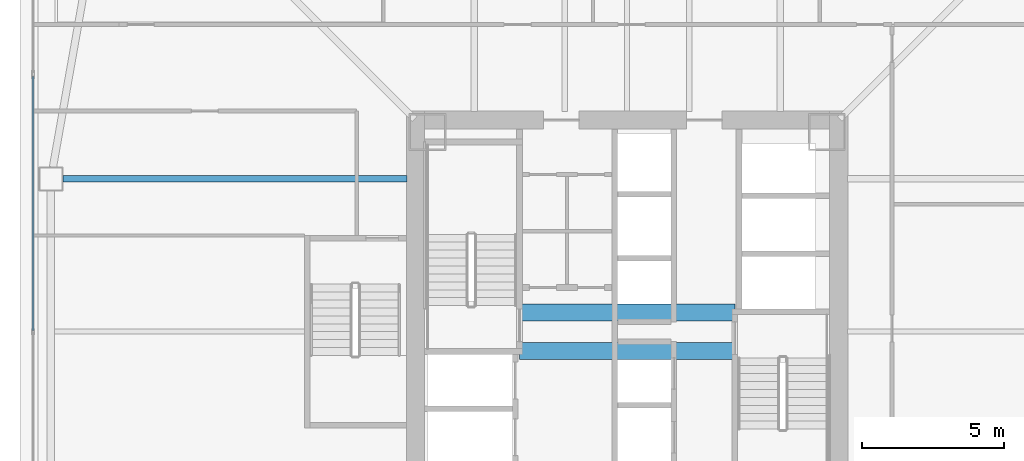
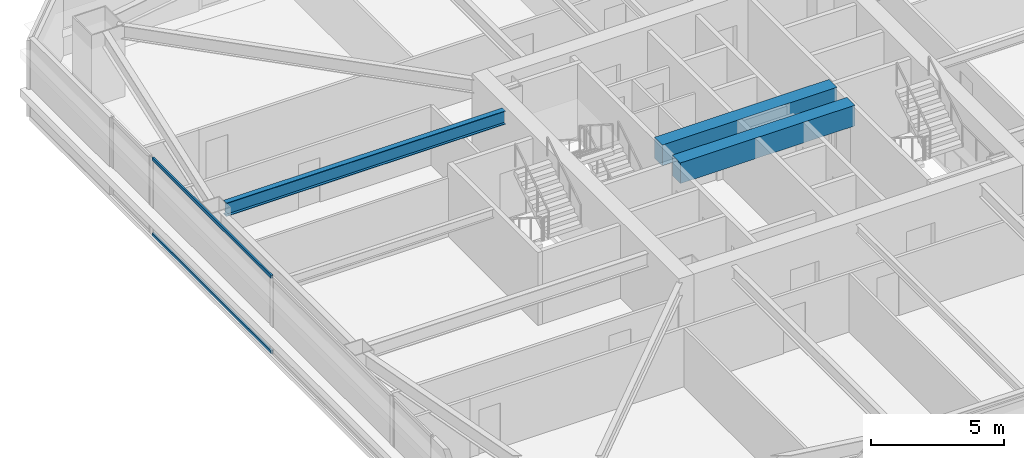
# One storey, part 7 of 44: 3 beams, 2 members, 1 element without a shape of its own.
"""IFC4 building model written with IfcOpenShell, lengths in metres."""

from ifc_helpers import new_model, si_unit, direction, frame, origin, origin_2d, place, context, subcontext, project, spatial, rectangle, hollow_rectangle, i_section, extrude, material, material_profile, profile_set, type_object, element, aggregate, save


model = new_model("IFC4")

# Units and contexts
model_context = context("Model", 3, precision=1e-05, world=origin(), true_north=direction((0.0, 1.0)))
body_context = subcontext(model_context, "Body", "Model", "MODEL_VIEW")
ifc_project = project(units=[si_unit("LENGTHUNIT", "METRE"), si_unit("AREAUNIT", "SQUARE_METRE"), si_unit("VOLUMEUNIT", "CUBIC_METRE"), si_unit("PLANEANGLEUNIT", "RADIAN"), si_unit("MASSUNIT", "GRAM", prefix="KILO")], contexts=[model_context])

# Site, building, storey
site_placement = place(None, origin())
site = spatial("IfcSite", under=ifc_project, at=site_placement, CompositionType="ELEMENT")
building_placement = place(site_placement, origin())
building = spatial("IfcBuilding", under=site, at=building_placement, Name="Tashvorn Skyway Center", CompositionType="ELEMENT")
storey_placement = place(building_placement, frame((0.0, 0.0, 74.300048828125)))
storey = spatial("IfcBuildingStorey", under=building, at=storey_placement, Name="L19", CompositionType="ELEMENT", Elevation=74.300048828125)

# Beams
ifc_material_1 = material(Name="Steel ASTM A992 Grade 50", Category="steel")
ifc_material_profile_1 = material_profile(ifc_material_1, i_section(OverallWidth=0.22998046875, OverallDepth=0.616943359375, WebThickness=0.01318359375, FlangeThickness=0.022216796875, at=origin_2d()), Name="W24X94")
ifc_profile_set_1 = profile_set([ifc_material_profile_1], Name="Steel ASTM A992 Grade 50")
beam_type_1 = type_object("IfcBeamType", Name="BM-BEAM-W24X94", PredefinedType="BEAM", material=ifc_profile_set_1)
beam_placement = place(storey_placement, frame((22.070068359375, 37.39990234375, 3.04150390625), z_axis=(1.0, 0.0, 0.0), x_axis=(0.0, 1.0, 0.0)))
element("IfcBeam", 1, at=beam_placement, inside=storey, type_object=beam_type_1, Name="Tower 1 L19 Primary Floor Girder FC-W1", PredefinedType="BEAM", context=body_context, shape_type="SweptSolid", body=[
    extrude(i_section(OverallWidth=0.22998046875, OverallDepth=0.616943359375, WebThickness=0.01318359375, FlangeThickness=0.022216796875, at=origin_2d()), origin(), (0.0, 0.0, 1.0), 12.14990234375),
])
ifc_material_2 = material(Name="Concrete C60/75", Category="concrete")
ifc_material_profile_2 = material_profile(ifc_material_2, rectangle(XDim=0.60009765625, YDim=0.949951171875, at=origin_2d()), Name="RCB600x950")
ifc_profile_set_2 = profile_set([ifc_material_profile_2], Name="Concrete C60/75")
beam_type_2 = type_object("IfcBeamType", Name="BM-LINTEL-RCB600x950", PredefinedType="LINTEL", material=ifc_profile_set_2)
for number, where, z_axis, x_axis, name in (
    (2, (38.199951171875, 32.679931640625, 2.875), (1.0, 0.0, 0.0), (0.0, 1.0, 0.0), "Tower 1 L19 Core Coupling Beam CN"),
    (3, (38.199951171875, 31.320068359375, 2.875), (1.0, 0.0, 0.0), (0.0, 1.0, 0.0), "Tower 1 L19 Core Coupling Beam CS"),
):
    element("IfcBeam", number, at=place(storey_placement, frame(where, z_axis=z_axis, x_axis=x_axis)), inside=storey, type_object=beam_type_2, Name=name, PredefinedType="LINTEL", context=body_context, shape_type="SweptSolid", body=[
        extrude(rectangle(XDim=0.60009765625, YDim=0.949951171875, at=origin_2d()), origin(), (0.0, 0.0, 1.0), 7.60009765625),
    ])

# Curtain wall, members
ifc_material_3 = material(Name="Thermally broken bronze-anodized aluminium 6063-T6", Category="aluminium")
curtain_wall_type = type_object("IfcCurtainWallType", Name="CW-CW-Z2", PredefinedType="NOTDEFINED", material=ifc_material_3)
curtain_wall_placement = place(storey_placement, origin())
curtain_wall = element("IfcCurtainWall", 4, at=curtain_wall_placement, inside=storey, type_object=curtain_wall_type, Name="Tower 1 L19 West Unitised Curtain Wall Glazing Group 2", PredefinedType="NOTDEFINED")
ifc_material_profile_3 = material_profile(ifc_material_3, hollow_rectangle(XDim=0.080078125, YDim=0.14990234375, WallThickness=0.00439453125, at=origin_2d()), Name="ALU-TRAN-80x150")
ifc_profile_set_3 = profile_set([ifc_material_profile_3], Name="Thermally broken bronze-anodized aluminium 6063-T6")
member_type = type_object("IfcMemberType", Name="CWT-CW-Z2", PredefinedType="USERDEFINED", material=ifc_profile_set_3)
member_1_placement = place(storey_placement, frame((21.02001953125, 32.0400390625, 0.0400390625), z_axis=(0.0, 1.0, 0.0), x_axis=(-1.0, 0.0, 0.0)))
member_1 = element("IfcMember", 5, at=member_1_placement, type_object=member_type, Name="CW-Z2 transom 2.1", ObjectType="TRANSOM", PredefinedType="USERDEFINED", context=body_context, shape_type="SweptSolid", body=[
    extrude(hollow_rectangle(XDim=0.080078125, YDim=0.14990234375, WallThickness=0.00439453125, at=origin_2d()), origin(), (0.0, 0.0, 1.0), 8.969970703125),
])
member_2_placement = place(storey_placement, frame((21.02001953125, 32.0400390625, 3.510009765625), z_axis=(0.0, 1.0, 0.0), x_axis=(-1.0, 0.0, 0.0)))
member_2 = element("IfcMember", 6, at=member_2_placement, type_object=member_type, Name="CW-Z2 transom 2.2", ObjectType="TRANSOM", PredefinedType="USERDEFINED", context=body_context, shape_type="SweptSolid", body=[
    extrude(hollow_rectangle(XDim=0.080078125, YDim=0.14990234375, WallThickness=0.00439453125, at=origin_2d()), origin(), (0.0, 0.0, 1.0), 8.969970703125),
])
aggregate(curtain_wall, [member_1, member_2])

save(model, "model.ifc")
